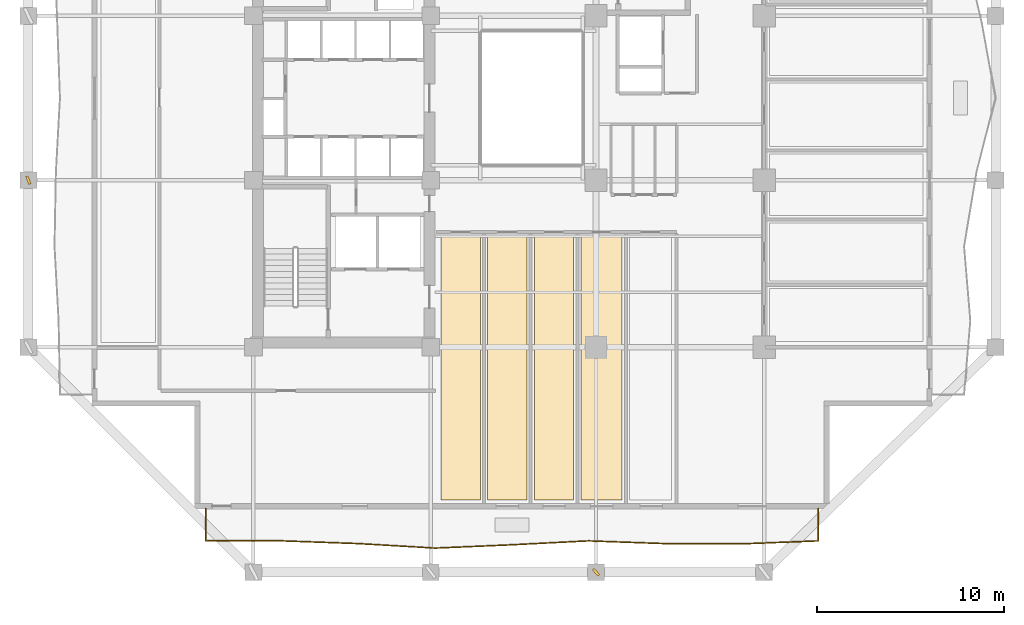
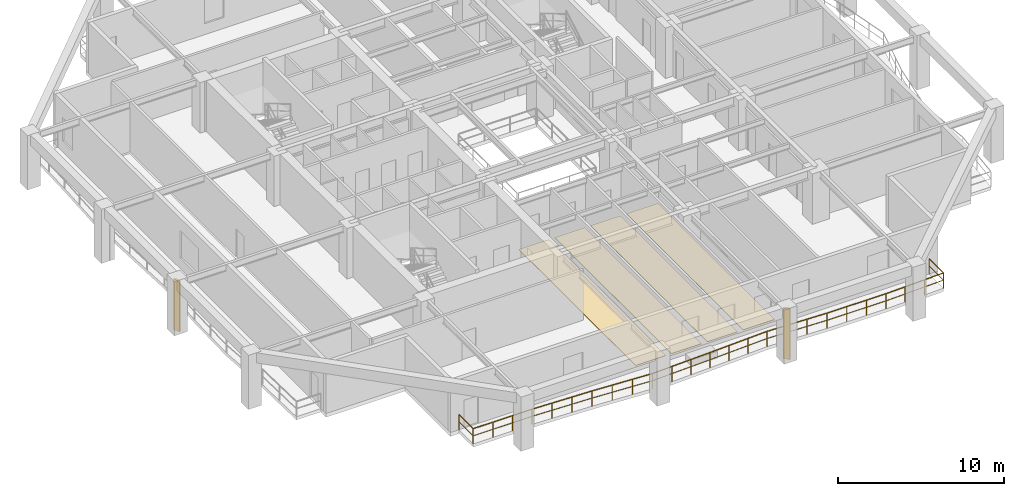
# One storey, part 8 of 13: 4 coverings, 2 shading devices, 1 railing.
"""IFC4 building model written with IfcOpenShell, lengths in metres."""

from ifc_helpers import new_model, si_unit, direction, frame, origin, origin_2d, place, context, subcontext, project, spatial, polyline, rectangle, outline, extrude, material, layer, layer_set, type_object, element, save


model = new_model("IFC4")

# Units and contexts
model_context = context("Model", 3, precision=1e-05, world=origin(), true_north=direction((0.0, 1.0)))
body_context = subcontext(model_context, "Body", "Model", "MODEL_VIEW")
ifc_project = project(units=[si_unit("LENGTHUNIT", "METRE"), si_unit("AREAUNIT", "SQUARE_METRE"), si_unit("VOLUMEUNIT", "CUBIC_METRE"), si_unit("PLANEANGLEUNIT", "RADIAN"), si_unit("MASSUNIT", "GRAM", prefix="KILO")], contexts=[model_context])

# Site, building, storey
site_placement = place(None, origin())
site = spatial("IfcSite", under=ifc_project, at=site_placement, CompositionType="ELEMENT")
building_placement = place(site_placement, origin())
building = spatial("IfcBuilding", under=site, at=building_placement, Name="Kundavana Baori Tower", CompositionType="ELEMENT")
storey_placement = place(building_placement, frame((0.0, 0.0, 62.0)))
storey = spatial("IfcBuildingStorey", under=building, at=storey_placement, Name="L14", CompositionType="ELEMENT", Elevation=62.0)

# Coverings
ifc_material_1 = material(Name="Honed Kota Stone and Terrazzo Flooring", Category="masonry")
ifc_layer = layer(ifc_material_1, 0.0400390625, Name="COV-FLR-TERR-40")
ifc_layer_set = layer_set([ifc_layer], Name="Honed Kota Stone and Terrazzo Flooring")
covering_type = type_object("IfcCoveringType", Name="COV-FLR-TERR-40", PredefinedType="FLOORING", material=ifc_layer_set)
covering_1_placement = place(storey_placement, origin())
element("IfcCovering", 1, at=covering_1_placement, inside=storey, type_object=covering_type, Name="L14 Room Finished Stone Flooring 2", PredefinedType="FLOORING", context=body_context, shape_type="SweptSolid", body=[
    extrude(outline(polyline([(25.5, 7.080078125), (27.60009765625, 7.080078125), (27.60009765625, 21.199951171875), (25.5, 21.199951171875), (25.5, 7.080078125)])), origin(), (0.0, 0.0, 1.0), 0.0400390625),
])
covering_2_placement = place(storey_placement, origin())
element("IfcCovering", 2, at=covering_2_placement, inside=storey, type_object=covering_type, Name="L14 Room Finished Stone Flooring 3", PredefinedType="FLOORING", context=body_context, shape_type="SweptSolid", body=[
    extrude(outline(polyline([(28.0, 7.080078125), (30.10009765625, 7.080078125), (30.10009765625, 21.199951171875), (28.0, 21.199951171875), (28.0, 7.080078125)])), origin(), (0.0, 0.0, 1.0), 0.0400390625),
])
covering_3_placement = place(storey_placement, origin())
element("IfcCovering", 3, at=covering_3_placement, inside=storey, type_object=covering_type, Name="L14 Room Finished Stone Flooring 4", PredefinedType="FLOORING", context=body_context, shape_type="SweptSolid", body=[
    extrude(outline(polyline([(30.5, 7.080078125), (32.60009765625, 7.080078125), (32.60009765625, 21.199951171875), (30.5, 21.199951171875), (30.5, 7.080078125)])), origin(), (0.0, 0.0, 1.0), 0.0400390625),
])
covering_4_placement = place(storey_placement, origin())
element("IfcCovering", 4, at=covering_4_placement, inside=storey, type_object=covering_type, Name="L14 Room Finished Stone Flooring 5", PredefinedType="FLOORING", context=body_context, shape_type="SweptSolid", body=[
    extrude(outline(polyline([(33.0, 7.080078125), (35.199951171875, 7.080078125), (35.199951171875, 21.199951171875), (33.0, 21.199951171875), (33.0, 7.080078125)])), origin(), (0.0, 0.0, 1.0), 0.0400390625),
])

# Railing
ifc_material_2 = material(Name="Architectural Patinated Bronze Metalwork")
railing_type = type_object("IfcRailingType", Name="RL-BAL-1150", PredefinedType="BALUSTRADE", material=ifc_material_2)
railing_placement = place(storey_placement, frame((45.699951171875, 6.60009765625, 0.0)))
element("IfcRailing", 5, at=railing_placement, inside=storey, type_object=railing_type, Name="L14 Loggia Balcony Balustrade S", PredefinedType="BALUSTRADE", context=body_context, shape_type="SweptSolid", body=[
    extrude(rectangle(XDim=0.048095703125, YDim=0.048095703125, at=origin_2d()), frame((0.0, 0.0, 1.1259765625), z_axis=(0.0, -1.0, 0.0), x_axis=(1.0, 0.0, 0.0)), (0.0, 0.0, 1.0), 1.72021484375),
    extrude(rectangle(XDim=0.03125, YDim=0.03125, at=origin_2d()), frame((0.0, 0.0, 0.597900390625), z_axis=(0.0, -1.0, 0.0), x_axis=(1.0, 0.0, 0.0)), (0.0, 0.0, 1.0), 1.72021484375),
    extrude(rectangle(XDim=0.048095703125, YDim=0.048095703125, at=origin_2d()), frame((0.0, -1.72021484375, 1.1259765625), z_axis=(-0.999230899651, -0.039212360083, 0.0), x_axis=(0.039212360083, -0.999230899651, 0.0)), (0.0, 0.0, 1.0), 4.10302734375),
    extrude(rectangle(XDim=0.03125, YDim=0.03125, at=origin_2d()), frame((0.0, -1.72021484375, 0.597900390625), z_axis=(-0.999230899651, -0.039212360083, 0.0), x_axis=(0.039212360083, -0.999230899651, 0.0)), (0.0, 0.0, 1.0), 4.10302734375),
    extrude(rectangle(XDim=0.048095703125, YDim=0.048095703125, at=origin_2d()), frame((-4.099853515625, -1.881103515625, 1.1259765625), z_axis=(-0.999995020219, 0.003155873292, 0.0), x_axis=(-0.003155873292, -0.999995020219, 0.0)), (0.0, 0.0, 1.0), 4.10009765625),
    extrude(rectangle(XDim=0.03125, YDim=0.03125, at=origin_2d()), frame((-4.099853515625, -1.881103515625, 0.597900390625), z_axis=(-0.999995020219, 0.003155873292, 0.0), x_axis=(-0.003155873292, -0.999995020219, 0.0)), (0.0, 0.0, 1.0), 4.10009765625),
    extrude(rectangle(XDim=0.048095703125, YDim=0.048095703125, at=origin_2d()), frame((-8.199951171875, -1.8681640625, 1.1259765625), z_axis=(-0.999349596164, 0.03606084645, 0.0), x_axis=(-0.03606084645, -0.999349596164, 0.0)), (0.0, 0.0, 1.0), 4.102783203125),
    extrude(rectangle(XDim=0.03125, YDim=0.03125, at=origin_2d()), frame((-8.199951171875, -1.8681640625, 0.597900390625), z_axis=(-0.999349596164, 0.03606084645, 0.0), x_axis=(-0.03606084645, -0.999349596164, 0.0)), (0.0, 0.0, 1.0), 4.102783203125),
    extrude(rectangle(XDim=0.048095703125, YDim=0.048095703125, at=origin_2d()), frame((-12.300048828125, -1.72021484375, 1.1259765625), z_axis=(-0.998691248766, -0.051144790921, 0.0), x_axis=(0.051144790921, -0.998691248766, 0.0)), (0.0, 0.0, 1.0), 4.105224609375),
    extrude(rectangle(XDim=0.03125, YDim=0.03125, at=origin_2d()), frame((-12.300048828125, -1.72021484375, 0.597900390625), z_axis=(-0.998691248766, -0.051144790921, 0.0), x_axis=(0.051144790921, -0.998691248766, 0.0)), (0.0, 0.0, 1.0), 4.105224609375),
    extrude(rectangle(XDim=0.048095703125, YDim=0.048095703125, at=origin_2d()), frame((-16.39990234375, -1.93017578125, 1.1259765625), z_axis=(-0.999059186498, -0.043367520957, 0.0), x_axis=(0.043367520957, -0.999059186498, 0.0)), (0.0, 0.0, 1.0), 4.10400390625),
    extrude(rectangle(XDim=0.03125, YDim=0.03125, at=origin_2d()), frame((-16.39990234375, -1.93017578125, 0.597900390625), z_axis=(-0.999059186498, -0.043367520957, 0.0), x_axis=(0.043367520957, -0.999059186498, 0.0)), (0.0, 0.0, 1.0), 4.10400390625),
    extrude(rectangle(XDim=0.048095703125, YDim=0.048095703125, at=origin_2d()), frame((-20.5, -2.108154296875, 1.1259765625), z_axis=(-0.998291141389, 0.058436264633, 0.0), x_axis=(-0.058436264633, -0.998291141389, 0.0)), (0.0, 0.0, 1.0), 4.10693359375),
    extrude(rectangle(XDim=0.03125, YDim=0.03125, at=origin_2d()), frame((-20.5, -2.108154296875, 0.597900390625), z_axis=(-0.998291141389, 0.058436264633, 0.0), x_axis=(-0.058436264633, -0.998291141389, 0.0)), (0.0, 0.0, 1.0), 4.10693359375),
    extrude(rectangle(XDim=0.048095703125, YDim=0.048095703125, at=origin_2d()), frame((-24.599853515625, -1.8681640625, 1.1259765625), z_axis=(-0.999349596164, 0.03606084645, 0.0), x_axis=(-0.03606084645, -0.999349596164, 0.0)), (0.0, 0.0, 1.0), 4.102783203125),
    extrude(rectangle(XDim=0.03125, YDim=0.03125, at=origin_2d()), frame((-24.599853515625, -1.8681640625, 0.597900390625), z_axis=(-0.999349596164, 0.03606084645, 0.0), x_axis=(-0.03606084645, -0.999349596164, 0.0)), (0.0, 0.0, 1.0), 4.102783203125),
    extrude(rectangle(XDim=0.048095703125, YDim=0.048095703125, at=origin_2d()), frame((-28.699951171875, -1.72021484375, 1.1259765625), z_axis=(-1.0, 0.0, 0.0), x_axis=(0.0, -1.0, 0.0)), (0.0, 0.0, 1.0), 4.10009765625),
    extrude(rectangle(XDim=0.03125, YDim=0.03125, at=origin_2d()), frame((-28.699951171875, -1.72021484375, 0.597900390625), z_axis=(-1.0, 0.0, 0.0), x_axis=(0.0, -1.0, 0.0)), (0.0, 0.0, 1.0), 4.10009765625),
    extrude(rectangle(XDim=0.048095703125, YDim=0.048095703125, at=origin_2d()), frame((-32.800048828125, -1.72021484375, 1.1259765625), z_axis=(0.0, 1.0, 0.0), x_axis=(-1.0, 0.0, 0.0)), (0.0, 0.0, 1.0), 1.72021484375),
    extrude(rectangle(XDim=0.03125, YDim=0.03125, at=origin_2d()), frame((-32.800048828125, -1.72021484375, 0.597900390625), z_axis=(0.0, 1.0, 0.0), x_axis=(-1.0, 0.0, 0.0)), (0.0, 0.0, 1.0), 1.72021484375),
    extrude(rectangle(XDim=0.0419921875, YDim=0.0419921875, at=origin_2d()), origin(), (0.0, 0.0, 1.0), 1.101806640625),
    extrude(rectangle(XDim=0.0419921875, YDim=0.0419921875, at=origin_2d()), frame((0.0, -1.72021484375, 0.0)), (0.0, 0.0, 1.0), 1.101806640625),
    extrude(rectangle(XDim=0.0419921875, YDim=0.0419921875, at=origin_2d()), frame((-1.36669921875, -1.77392578125, 0.0)), (0.0, 0.0, 1.0), 1.101806640625),
    extrude(rectangle(XDim=0.0419921875, YDim=0.0419921875, at=origin_2d()), frame((-2.733154296875, -1.827392578125, 0.0)), (0.0, 0.0, 1.0), 1.101806640625),
    extrude(rectangle(XDim=0.0419921875, YDim=0.0419921875, at=origin_2d()), frame((-4.099853515625, -1.881103515625, 0.0)), (0.0, 0.0, 1.0), 1.101806640625),
    extrude(rectangle(XDim=0.0419921875, YDim=0.0419921875, at=origin_2d()), frame((-5.466552734375, -1.876708984375, 0.0)), (0.0, 0.0, 1.0), 1.101806640625),
    extrude(rectangle(XDim=0.0419921875, YDim=0.0419921875, at=origin_2d()), frame((-6.833251953125, -1.87255859375, 0.0)), (0.0, 0.0, 1.0), 1.101806640625),
    extrude(rectangle(XDim=0.0419921875, YDim=0.0419921875, at=origin_2d()), frame((-8.199951171875, -1.8681640625, 0.0)), (0.0, 0.0, 1.0), 1.101806640625),
    extrude(rectangle(XDim=0.0419921875, YDim=0.0419921875, at=origin_2d()), frame((-9.566650390625, -1.81884765625, 0.0)), (0.0, 0.0, 1.0), 1.101806640625),
    extrude(rectangle(XDim=0.0419921875, YDim=0.0419921875, at=origin_2d()), frame((-10.933349609375, -1.76953125, 0.0)), (0.0, 0.0, 1.0), 1.101806640625),
    extrude(rectangle(XDim=0.0419921875, YDim=0.0419921875, at=origin_2d()), frame((-12.300048828125, -1.72021484375, 0.0)), (0.0, 0.0, 1.0), 1.101806640625),
    extrude(rectangle(XDim=0.0419921875, YDim=0.0419921875, at=origin_2d()), frame((-13.666748046875, -1.790283203125, 0.0)), (0.0, 0.0, 1.0), 1.101806640625),
    extrude(rectangle(XDim=0.0419921875, YDim=0.0419921875, at=origin_2d()), frame((-15.033203125, -1.860107421875, 0.0)), (0.0, 0.0, 1.0), 1.101806640625),
    extrude(rectangle(XDim=0.0419921875, YDim=0.0419921875, at=origin_2d()), frame((-16.39990234375, -1.93017578125, 0.0)), (0.0, 0.0, 1.0), 1.101806640625),
    extrude(rectangle(XDim=0.0419921875, YDim=0.0419921875, at=origin_2d()), frame((-17.7666015625, -1.989501953125, 0.0)), (0.0, 0.0, 1.0), 1.101806640625),
    extrude(rectangle(XDim=0.0419921875, YDim=0.0419921875, at=origin_2d()), frame((-19.13330078125, -2.048828125, 0.0)), (0.0, 0.0, 1.0), 1.101806640625),
    extrude(rectangle(XDim=0.0419921875, YDim=0.0419921875, at=origin_2d()), frame((-20.5, -2.108154296875, 0.0)), (0.0, 0.0, 1.0), 1.101806640625),
    extrude(rectangle(XDim=0.0419921875, YDim=0.0419921875, at=origin_2d()), frame((-21.86669921875, -2.028076171875, 0.0)), (0.0, 0.0, 1.0), 1.101806640625),
    extrude(rectangle(XDim=0.0419921875, YDim=0.0419921875, at=origin_2d()), frame((-23.233154296875, -1.9482421875, 0.0)), (0.0, 0.0, 1.0), 1.101806640625),
    extrude(rectangle(XDim=0.0419921875, YDim=0.0419921875, at=origin_2d()), frame((-24.599853515625, -1.8681640625, 0.0)), (0.0, 0.0, 1.0), 1.101806640625),
    extrude(rectangle(XDim=0.0419921875, YDim=0.0419921875, at=origin_2d()), frame((-25.966552734375, -1.81884765625, 0.0)), (0.0, 0.0, 1.0), 1.101806640625),
    extrude(rectangle(XDim=0.0419921875, YDim=0.0419921875, at=origin_2d()), frame((-27.333251953125, -1.76953125, 0.0)), (0.0, 0.0, 1.0), 1.101806640625),
    extrude(rectangle(XDim=0.0419921875, YDim=0.0419921875, at=origin_2d()), frame((-28.699951171875, -1.72021484375, 0.0)), (0.0, 0.0, 1.0), 1.101806640625),
    extrude(rectangle(XDim=0.0419921875, YDim=0.0419921875, at=origin_2d()), frame((-30.066650390625, -1.72021484375, 0.0)), (0.0, 0.0, 1.0), 1.101806640625),
    extrude(rectangle(XDim=0.0419921875, YDim=0.0419921875, at=origin_2d()), frame((-31.433349609375, -1.72021484375, 0.0)), (0.0, 0.0, 1.0), 1.101806640625),
    extrude(rectangle(XDim=0.0419921875, YDim=0.0419921875, at=origin_2d()), frame((-32.800048828125, -1.72021484375, 0.0)), (0.0, 0.0, 1.0), 1.101806640625),
    extrude(rectangle(XDim=0.0419921875, YDim=0.0419921875, at=origin_2d()), frame((-32.800048828125, 0.0, 0.0)), (0.0, 0.0, 1.0), 1.101806640625),
])

# Shading devices
ifc_material_3 = material(Name="Architectural Patinated Bronze Metalwork")
shading_device_type = type_object("IfcShadingDeviceType", Name="SHD-LOUV-450", PredefinedType="SHUTTER", material=ifc_material_3)
for number, where, z_axis, x_axis, name in (
    (6, (33.800048828125, 3.199951171875, 0.0), (0.0, 0.0, 1.0), (0.74326159948, 0.669000892928, 0.0), "L14 Sweeping Dholpur Sandstone Facade Fin 3"),
    (7, (3.39990234375, 24.199951171875, 0.0), (0.0, 0.0, 1.0), (0.92685659564, 0.375415571225, 0.0), "L14 Sweeping Dholpur Sandstone Facade Fin 6"),
):
    element("IfcShadingDevice", number, at=place(storey_placement, frame(where, z_axis=z_axis, x_axis=x_axis)), inside=storey, type_object=shading_device_type, Name=name, PredefinedType="SHUTTER", context=body_context, shape_type="SweptSolid", body=[
        extrude(rectangle(XDim=0.139892578125, YDim=0.449951171875, at=origin_2d()), origin(), (0.0, 0.0, 1.0), 3.719970703125),
    ])

save(model, "model.ifc")
